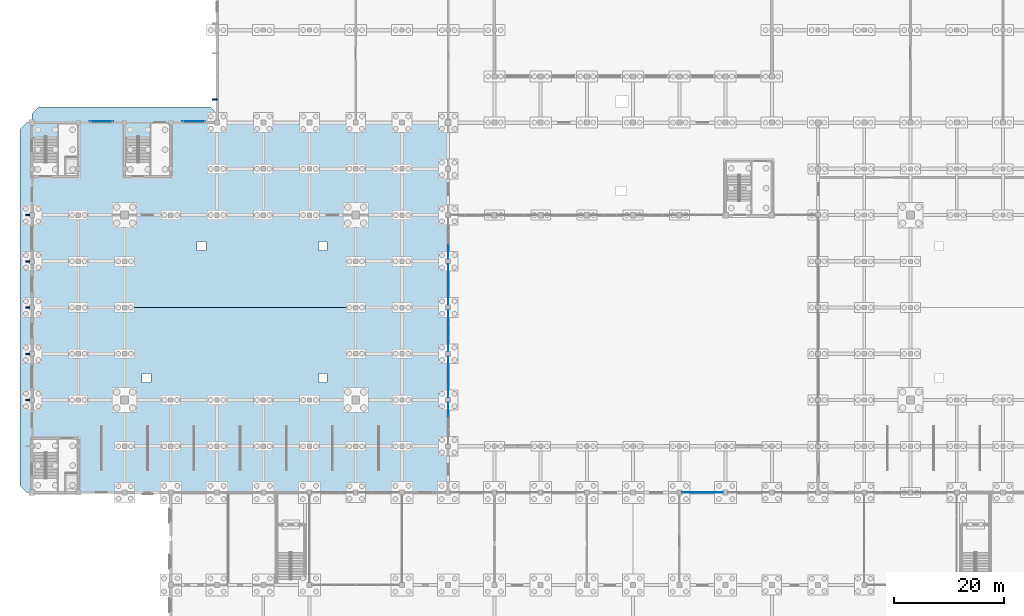
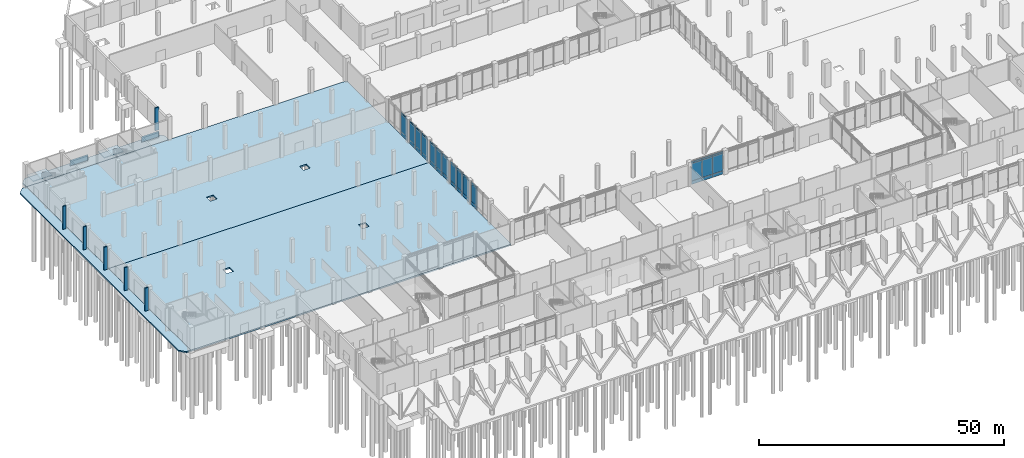
# One storey, part 43 of 72: 50 plates, 6 slabs, 8 elements without a shape of their own.
"""IFC4 building model written with IfcOpenShell, lengths in metres."""

from ifc_helpers import new_model, si_unit, direction, frame, frame_2d, origin, place, context, subcontext, project, spatial, polyline, rectangle, outline, extrude, material, layer, layer_set, type_object, element, aggregate, save


model = new_model("IFC4")

# Units and contexts
model_context = context("Model", 3, precision=1e-05, world=origin(), true_north=direction((0.0, 1.0)))
body_context = subcontext(model_context, "Body", "Model", "MODEL_VIEW")
ifc_project = project(units=[si_unit("LENGTHUNIT", "METRE"), si_unit("AREAUNIT", "SQUARE_METRE"), si_unit("VOLUMEUNIT", "CUBIC_METRE"), si_unit("PLANEANGLEUNIT", "RADIAN"), si_unit("MASSUNIT", "GRAM", prefix="KILO")], contexts=[model_context])

# Site, building, storey
site_placement = place(None, origin())
site = spatial("IfcSite", under=ifc_project, at=site_placement, CompositionType="ELEMENT")
building_placement = place(site_placement, origin())
building = spatial("IfcBuilding", under=site, at=building_placement, Name="Qawsi Khor Wholesale Market", CompositionType="ELEMENT")
storey_placement = place(building_placement, origin())
storey = spatial("IfcBuildingStorey", under=building, at=storey_placement, Name="L00", CompositionType="ELEMENT", Elevation=0.0)

# Slabs
ifc_material_1 = material(Name="Concrete C45/55", Category="concrete")
ifc_layer_1 = layer(ifc_material_1, 0.31005859375, Name="Concrete C45/55")
ifc_layer_set_1 = layer_set([ifc_layer_1], Name="Concrete C45/55")
slab_type_1 = type_object("IfcSlabType", Name="Arcade & Forecourt Structural Deck 310 C45/55", PredefinedType="BASESLAB", material=ifc_layer_set_1)
slab_1_placement = place(storey_placement, frame((0.0, 0.0, -0.31005859375)))
element("IfcSlab", 1, at=slab_1_placement, inside=storey, type_object=slab_type_1, Name="SLB-L00-W-APRON", PredefinedType="BASESLAB", context=body_context, shape_type="SweptSolid", body=[
    extrude(outline(polyline([(-1.0, 42.0), (0.0, 42.0), (0.0, 109.199951171875), (-1.0, 109.199951171875), (-2.199951171875, 108.0), (-2.199951171875, 43.199951171875), (-1.0, 42.0)])), origin(), (0.0, 0.0, 1.0), 0.31005859375),
])
slab_2_placement = place(storey_placement, frame((0.0, 0.0, -0.31005859375)))
element("IfcSlab", 2, at=slab_2_placement, inside=storey, type_object=slab_type_1, Name="SLB-L00-N-EXIT-APRON", PredefinedType="BASESLAB", context=body_context, shape_type="SweptSolid", body=[
    extrude(outline(polyline([(0.0, 109.199951171875), (33.60009765625, 109.199951171875), (33.60009765625, 110.800048828125), (32.39990234375, 112.0), (1.199951171875, 112.0), (0.0, 110.800048828125), (0.0, 109.199951171875)])), origin(), (0.0, 0.0, 1.0), 0.31005859375),
])
ifc_layer_2 = layer(ifc_material_1, 0.360107421875, Name="Concrete C45/55")
ifc_layer_set_2 = layer_set([ifc_layer_2], Name="Concrete C45/55")
slab_type_2 = type_object("IfcSlabType", Name="Ground-Bearing Slab 360 C45/55", PredefinedType="BASESLAB", material=ifc_layer_set_2)
slab_3_placement = place(storey_placement, frame((0.0, 0.0, -0.360107421875)))
element("IfcSlab", 3, at=slab_3_placement, inside=storey, type_object=slab_type_2, Name="SLB-L00-WHALL-S", PredefinedType="BASESLAB", context=body_context, shape_type="SweptSolid", body=[
    extrude(outline(polyline([(0.0, 75.60009765625), (75.60009765625, 75.60009765625), (75.60009765625, 42.0), (0.0, 42.0), (0.0, 75.60009765625)]), holes=[polyline([(20.0, 62.0), (21.60009765625, 62.0), (21.60009765625, 63.60009765625), (20.0, 63.60009765625), (20.0, 62.0)]), polyline([(52.0, 62.0), (53.60009765625, 62.0), (53.60009765625, 63.60009765625), (52.0, 63.60009765625), (52.0, 62.0)])]), origin(), (0.0, 0.0, 1.0), 0.360107421875),
])
slab_4_placement = place(storey_placement, frame((0.0, 0.0, -0.360107421875)))
element("IfcSlab", 4, at=slab_4_placement, inside=storey, type_object=slab_type_2, Name="SLB-L00-WHALL-N", PredefinedType="BASESLAB", context=body_context, shape_type="SweptSolid", body=[
    extrude(outline(polyline([(0.0, 109.199951171875), (75.60009765625, 109.199951171875), (75.60009765625, 75.60009765625), (0.0, 75.60009765625), (0.0, 109.199951171875)]), holes=[polyline([(30.0, 86.0), (31.60009765625, 86.0), (31.60009765625, 87.60009765625), (30.0, 87.60009765625), (30.0, 86.0)]), polyline([(52.0, 86.0), (53.60009765625, 86.0), (53.60009765625, 87.60009765625), (52.0, 87.60009765625), (52.0, 86.0)])]), origin(), (0.0, 0.0, 1.0), 0.360107421875),
])

# Curtain wall, plate
ifc_material_2 = material(Name="Aluminium Anodised Bronze", Category="aluminium")
ifc_layer_3 = layer(ifc_material_2, 0.199951171875, Name="Aluminium Anodised Bronze")
ifc_layer_set_3 = layer_set([ifc_layer_3], Name="Aluminium Anodised Bronze")
curtain_wall_type_1 = type_object("IfcCurtainWallType", Name="Trading Hall North-Light Curtain Wall CW-03", PredefinedType="NOTDEFINED", material=ifc_layer_set_3)
curtain_wall_1_placement = place(storey_placement, origin())
curtain_wall_1 = element("IfcCurtainWall", 5, at=curtain_wall_1_placement, inside=storey, type_object=curtain_wall_type_1, Name="Curtain wall CW-CW-03-L00-072", PredefinedType="NOTDEFINED")
ifc_material_3 = material(Name="Anodised Aluminium Spandrel", Category="aluminium")
ifc_layer_4 = layer(ifc_material_3, 0.074951171875, Name="Anodised Aluminium Spandrel")
ifc_layer_set_4 = layer_set([ifc_layer_4], Name="Anodised Aluminium Spandrel")
plate_type_1 = type_object("IfcPlateType", Name="Insulated Spandrel Panel CW-03 75mm", PredefinedType="CURTAIN_PANEL", material=ifc_layer_set_4)
plate_1_placement = place(storey_placement, frame((75.60009765625, 55.834228515625, 0.0048828125), z_axis=(0.0, 0.0, 1.0), x_axis=(0.0, 1.0, 0.0)))
plate_1 = element("IfcPlate", 6, at=plate_1_placement, type_object=plate_type_1, Name="Curtain panel CW-CW-03-L00-072-P0_02", PredefinedType="CURTAIN_PANEL", context=body_context, shape_type="SweptSolid", body=[
    extrude(rectangle(XDim=2.46826171875, YDim=0.074951171875, at=frame_2d((1.234130859375, 0.0))), origin(), (0.0, 0.0, 1.0), 0.840087890625),
])

# Curtain wall, plates
curtain_wall_2_placement = place(storey_placement, origin())
curtain_wall_2 = element("IfcCurtainWall", 7, at=curtain_wall_2_placement, inside=storey, type_object=curtain_wall_type_1, Name="Curtain wall CW-CW-03-L00-077", PredefinedType="NOTDEFINED")
plate_2_placement = place(storey_placement, frame((75.60009765625, 59.297607421875, 0.0048828125), z_axis=(0.0, 0.0, 1.0), x_axis=(0.0, 1.0, 0.0)))
plate_2 = element("IfcPlate", 8, at=plate_2_placement, type_object=plate_type_1, Name="Curtain panel CW-CW-03-L00-077-P0_00", PredefinedType="CURTAIN_PANEL", context=body_context, shape_type="SweptSolid", body=[
    extrude(rectangle(XDim=2.46826171875, YDim=0.074951171875, at=frame_2d((1.234130859375, 0.0))), origin(), (0.0, 0.0, 1.0), 0.840087890625),
])
plate_3_placement = place(storey_placement, frame((75.60009765625, 61.765869140625, 0.0048828125), z_axis=(0.0, 0.0, 1.0), x_axis=(0.0, 1.0, 0.0)))
plate_3 = element("IfcPlate", 9, at=plate_3_placement, type_object=plate_type_1, Name="Curtain panel CW-CW-03-L00-077-P0_01", PredefinedType="CURTAIN_PANEL", context=body_context, shape_type="SweptSolid", body=[
    extrude(rectangle(XDim=2.46826171875, YDim=0.074951171875, at=frame_2d((1.234130859375, 0.0))), origin(), (0.0, 0.0, 1.0), 0.840087890625),
])
plate_4_placement = place(storey_placement, frame((75.60009765625, 64.234130859375, 0.0048828125), z_axis=(0.0, 0.0, 1.0), x_axis=(0.0, 1.0, 0.0)))
plate_4 = element("IfcPlate", 10, at=plate_4_placement, type_object=plate_type_1, Name="Curtain panel CW-CW-03-L00-077-P0_02", PredefinedType="CURTAIN_PANEL", context=body_context, shape_type="SweptSolid", body=[
    extrude(rectangle(XDim=2.46826171875, YDim=0.074951171875, at=frame_2d((1.234130859375, 0.0))), origin(), (0.0, 0.0, 1.0), 0.840087890625),
])

curtain_wall_3_placement = place(storey_placement, origin())
curtain_wall_3 = element("IfcCurtainWall", 11, at=curtain_wall_3_placement, inside=storey, type_object=curtain_wall_type_1, Name="Curtain wall CW-CW-03-L00-082", PredefinedType="NOTDEFINED")
plate_5_placement = place(storey_placement, frame((75.60009765625, 67.697509765625, 0.0048828125), z_axis=(0.0, 0.0, 1.0), x_axis=(0.0, 1.0, 0.0)))
plate_5 = element("IfcPlate", 12, at=plate_5_placement, type_object=plate_type_1, Name="Curtain panel CW-CW-03-L00-082-P0_00", PredefinedType="CURTAIN_PANEL", context=body_context, shape_type="SweptSolid", body=[
    extrude(rectangle(XDim=2.46826171875, YDim=0.074951171875, at=frame_2d((1.234130859375, 0.0))), origin(), (0.0, 0.0, 1.0), 0.840087890625),
])
plate_6_placement = place(storey_placement, frame((75.60009765625, 70.165771484375, 0.0048828125), z_axis=(0.0, 0.0, 1.0), x_axis=(0.0, 1.0, 0.0)))
plate_6 = element("IfcPlate", 13, at=plate_6_placement, type_object=plate_type_1, Name="Curtain panel CW-CW-03-L00-082-P0_01", PredefinedType="CURTAIN_PANEL", context=body_context, shape_type="SweptSolid", body=[
    extrude(rectangle(XDim=2.468505859375, YDim=0.074951171875, at=frame_2d((1.234375, 0.0))), origin(), (0.0, 0.0, 1.0), 0.840087890625),
])
plate_7_placement = place(storey_placement, frame((75.60009765625, 72.63427734375, 0.0048828125), z_axis=(0.0, 0.0, 1.0), x_axis=(0.0, 1.0, 0.0)))
plate_7 = element("IfcPlate", 14, at=plate_7_placement, type_object=plate_type_1, Name="Curtain panel CW-CW-03-L00-082-P0_02", PredefinedType="CURTAIN_PANEL", context=body_context, shape_type="SweptSolid", body=[
    extrude(rectangle(XDim=2.46826171875, YDim=0.074951171875, at=frame_2d((1.234130859375, 0.0))), origin(), (0.0, 0.0, 1.0), 0.840087890625),
])

curtain_wall_4_placement = place(storey_placement, origin())
curtain_wall_4 = element("IfcCurtainWall", 15, at=curtain_wall_4_placement, inside=storey, type_object=curtain_wall_type_1, Name="Curtain wall CW-CW-03-L00-087", PredefinedType="NOTDEFINED")
plate_8_placement = place(storey_placement, frame((75.60009765625, 76.097412109375, 0.0048828125), z_axis=(0.0, 0.0, 1.0), x_axis=(0.0, 1.0, 0.0)))
plate_8 = element("IfcPlate", 16, at=plate_8_placement, type_object=plate_type_1, Name="Curtain panel CW-CW-03-L00-087-P0_00", PredefinedType="CURTAIN_PANEL", context=body_context, shape_type="SweptSolid", body=[
    extrude(rectangle(XDim=2.468505859375, YDim=0.074951171875, at=frame_2d((1.234375, 0.0))), origin(), (0.0, 0.0, 1.0), 0.840087890625),
])
plate_9_placement = place(storey_placement, frame((75.60009765625, 78.56591796875, 0.0048828125), z_axis=(0.0, 0.0, 1.0), x_axis=(0.0, 1.0, 0.0)))
plate_9 = element("IfcPlate", 17, at=plate_9_placement, type_object=plate_type_1, Name="Curtain panel CW-CW-03-L00-087-P0_01", PredefinedType="CURTAIN_PANEL", context=body_context, shape_type="SweptSolid", body=[
    extrude(rectangle(XDim=2.46826171875, YDim=0.074951171875, at=frame_2d((1.234130859375, 0.0))), origin(), (0.0, 0.0, 1.0), 0.840087890625),
])
plate_10_placement = place(storey_placement, frame((75.60009765625, 81.0341796875, 0.0048828125), z_axis=(0.0, 0.0, 1.0), x_axis=(0.0, 1.0, 0.0)))
plate_10 = element("IfcPlate", 18, at=plate_10_placement, type_object=plate_type_1, Name="Curtain panel CW-CW-03-L00-087-P0_02", PredefinedType="CURTAIN_PANEL", context=body_context, shape_type="SweptSolid", body=[
    extrude(rectangle(XDim=2.46826171875, YDim=0.074951171875, at=frame_2d((1.234130859375, 0.0))), origin(), (0.0, 0.0, 1.0), 0.840087890625),
])

# Curtain wall, plate
curtain_wall_5_placement = place(storey_placement, origin())
curtain_wall_5 = element("IfcCurtainWall", 19, at=curtain_wall_5_placement, inside=storey, type_object=curtain_wall_type_1, Name="Curtain wall CW-CW-03-L00-092", PredefinedType="NOTDEFINED")
plate_11_placement = place(storey_placement, frame((75.60009765625, 84.49755859375, 0.0048828125), z_axis=(0.0, 0.0, 1.0), x_axis=(0.0, 1.0, 0.0)))
plate_11 = element("IfcPlate", 20, at=plate_11_placement, type_object=plate_type_1, Name="Curtain panel CW-CW-03-L00-092-P0_00", PredefinedType="CURTAIN_PANEL", context=body_context, shape_type="SweptSolid", body=[
    extrude(rectangle(XDim=2.46826171875, YDim=0.074951171875, at=frame_2d((1.234130859375, 0.0))), origin(), (0.0, 0.0, 1.0), 0.840087890625),
])

# Curtain wall, plates
ifc_layer_5 = layer(ifc_material_2, 0.169921875, Name="Aluminium Anodised Bronze")
ifc_layer_set_5 = layer_set([ifc_layer_5], Name="Aluminium Anodised Bronze")
curtain_wall_type_2 = type_object("IfcCurtainWallType", Name="Central Court Gallery Curtain Wall CW-05", PredefinedType="NOTDEFINED", material=ifc_layer_set_5)
curtain_wall_6_placement = place(storey_placement, origin())
curtain_wall_6 = element("IfcCurtainWall", 21, at=curtain_wall_6_placement, inside=storey, type_object=curtain_wall_type_2, Name="Curtain wall CW-CW-05-L00-057", PredefinedType="NOTDEFINED")
ifc_layer_6 = layer(ifc_material_3, 0.094970703125, Name="Anodised Aluminium Spandrel")
ifc_layer_set_6 = layer_set([ifc_layer_6], Name="Anodised Aluminium Spandrel")
plate_type_2 = type_object("IfcPlateType", Name="Insulated Spandrel Panel CW-05 95mm", PredefinedType="CURTAIN_PANEL", material=ifc_layer_set_6)
plate_12_placement = place(storey_placement, frame((118.10009765625, 42.0, 0.0048828125), z_axis=(0.0, 0.0, 1.0), x_axis=(1.0, 0.0, 0.0)))
plate_12 = element("IfcPlate", 22, at=plate_12_placement, type_object=plate_type_2, Name="Curtain panel CW-CW-05-L00-057-P0_00", PredefinedType="CURTAIN_PANEL", context=body_context, shape_type="SweptSolid", body=[
    extrude(rectangle(XDim=2.466552734375, YDim=0.094970703125, at=frame_2d((1.2333984375, 0.0))), origin(), (0.0, 0.0, 1.0), 0.840087890625),
])
plate_13_placement = place(storey_placement, frame((120.566650390625, 42.0, 0.0048828125), z_axis=(0.0, 0.0, 1.0), x_axis=(1.0, 0.0, 0.0)))
plate_13 = element("IfcPlate", 23, at=plate_13_placement, type_object=plate_type_2, Name="Curtain panel CW-CW-05-L00-057-P0_01", PredefinedType="CURTAIN_PANEL", context=body_context, shape_type="SweptSolid", body=[
    extrude(rectangle(XDim=2.466552734375, YDim=0.094970703125, at=frame_2d((1.2333984375, 0.0))), origin(), (0.0, 0.0, 1.0), 0.840087890625),
])
plate_14_placement = place(storey_placement, frame((123.033203125, 42.0, 0.0048828125), z_axis=(0.0, 0.0, 1.0), x_axis=(1.0, 0.0, 0.0)))
plate_14 = element("IfcPlate", 24, at=plate_14_placement, type_object=plate_type_2, Name="Curtain panel CW-CW-05-L00-057-P0_02", PredefinedType="CURTAIN_PANEL", context=body_context, shape_type="SweptSolid", body=[
    extrude(rectangle(XDim=2.466796875, YDim=0.094970703125, at=frame_2d((1.2333984375, 0.0))), origin(), (0.0, 0.0, 1.0), 0.840087890625),
])

# Plates
ifc_material_4 = material(Name="Perforated Bronze-Anodised Aluminium", Category="aluminium")
ifc_layer_7 = layer(ifc_material_4, 0.014892578125, Name="Perforated Bronze-Anodised Aluminium")
ifc_layer_set_7 = layer_set([ifc_layer_7], Name="Perforated Bronze-Anodised Aluminium")
plate_type_3 = type_object("IfcPlateType", Name="Perforated Bronze Mashrabiya Screen 15mm", PredefinedType="SHEET", material=ifc_layer_set_7)
for number, where, z_axis, x_axis, name in (
    (25, (10.5, 109.47509765625, 1.35009765625), (0.0, 0.0, 1.0), (1.0, 0.0, 0.0), "Solar mashrabiya screen 069"),
    (26, (27.300048828125, 109.47509765625, 1.35009765625), (0.0, 0.0, 1.0), (1.0, 0.0, 0.0), "Solar mashrabiya screen 070"),
):
    element("IfcPlate", number, at=place(storey_placement, frame(where, z_axis=z_axis, x_axis=x_axis)), inside=storey, type_object=plate_type_3, Name=name, PredefinedType="SHEET", context=body_context, shape_type="SweptSolid", body=[
        extrude(rectangle(XDim=4.199951171875, YDim=0.014892578125, at=frame_2d((2.10009765625, 0.0))), origin(), (0.0, 0.0, 1.0), 1.449951171875),
    ])
ifc_material_5 = material(Name="Concrete C40/50", Category="concrete")
ifc_layer_8 = layer(ifc_material_5, 0.260009765625, Name="Concrete C40/50")
ifc_layer_set_8 = layer_set([ifc_layer_8], Name="Concrete C40/50")
plate_type_4 = type_object("IfcPlateType", Name="Sculpted Concrete Solar Buttress Fin 260", PredefinedType="SHEET", material=ifc_layer_set_8)
for number, where, z_axis, x_axis, name in (
    (27, (-1.14990234375, 58.800048828125, 0.0), (0.0, 0.0, 1.0), (1.0, 0.0, 0.0), "West Hall Concrete Buttress Rib L00-7"),
    (28, (-1.14990234375, 67.199951171875, 0.0), (0.0, 0.0, 1.0), (1.0, 0.0, 0.0), "West Hall Concrete Buttress Rib L00-8"),
    (29, (-1.14990234375, 75.60009765625, 0.0), (0.0, 0.0, 1.0), (1.0, 0.0, 0.0), "West Hall Concrete Buttress Rib L00-9"),
    (30, (-1.14990234375, 84.0, 0.0), (0.0, 0.0, 1.0), (1.0, 0.0, 0.0), "West Hall Concrete Buttress Rib L00-10"),
    (31, (-1.14990234375, 92.39990234375, 0.0), (0.0, 0.0, 1.0), (1.0, 0.0, 0.0), "West Hall Concrete Buttress Rib L00-11"),
):
    element("IfcPlate", number, at=place(storey_placement, frame(where, z_axis=z_axis, x_axis=x_axis)), inside=storey, type_object=plate_type_4, Name=name, PredefinedType="SHEET", context=body_context, shape_type="SweptSolid", body=[
        extrude(rectangle(XDim=0.760009765625, YDim=0.260009765625, at=frame_2d((0.3798828125, 0.0))), origin(), (0.0, 0.0, 1.0), 5.72998046875),
    ])
plate_15_placement = place(storey_placement, frame((33.60009765625, 113.39990234375, 0.0), z_axis=(0.0, 0.0, 1.0), x_axis=(-1.0, 0.0, 0.0)))
element("IfcPlate", 32, at=plate_15_placement, inside=storey, type_object=plate_type_4, Name="NWC Cold-Store Sculpted Concrete Fin 13", PredefinedType="SHEET", context=body_context, shape_type="SweptSolid", body=[
    extrude(rectangle(XDim=0.85009765625, YDim=0.260009765625, at=frame_2d((0.425048828125, 0.0))), origin(), (0.0, 0.0, 1.0), 5.699951171875),
])

# Plate
ifc_material_6 = material(Name="Tempered Low-E Solar Glass", Category="glass")
ifc_layer_9 = layer(ifc_material_6, 0.0419921875, Name="Tempered Low-E Solar Glass")
ifc_layer_set_9 = layer_set([ifc_layer_9], Name="Tempered Low-E Solar Glass")
plate_type_5 = type_object("IfcPlateType", Name="Solar Double-Glazed Unit CW-03 42mm", PredefinedType="CURTAIN_PANEL", material=ifc_layer_set_9)
plate_16_placement = place(storey_placement, frame((75.60009765625, 55.834228515625, 0.85498046875), z_axis=(0.0, 0.0, 1.0), x_axis=(0.0, 1.0, 0.0)))
plate_16 = element("IfcPlate", 33, at=plate_16_placement, type_object=plate_type_5, Name="Curtain panel CW-CW-03-L00-072-P1_02", PredefinedType="CURTAIN_PANEL", context=body_context, shape_type="SweptSolid", body=[
    extrude(rectangle(XDim=2.46826171875, YDim=0.0419921875, at=frame_2d((1.234130859375, 0.0))), origin(), (0.0, 0.0, 1.0), 4.419921875),
])

plate_17_placement = place(storey_placement, frame((75.60009765625, 55.834228515625, 5.284912109375), z_axis=(0.0, 0.0, 1.0), x_axis=(0.0, 1.0, 0.0)))
plate_17 = element("IfcPlate", 34, at=plate_17_placement, type_object=plate_type_5, Name="Curtain panel CW-CW-03-L00-072-P2_02", PredefinedType="CURTAIN_PANEL", context=body_context, shape_type="SweptSolid", body=[
    extrude(rectangle(XDim=2.46826171875, YDim=0.0419921875, at=frame_2d((1.234130859375, 0.0))), origin(), (0.0, 0.0, 1.0), 0.440185546875),
])

aggregate(curtain_wall_1, [plate_1, plate_16, plate_17])

plate_18_placement = place(storey_placement, frame((75.60009765625, 59.297607421875, 0.85498046875), z_axis=(0.0, 0.0, 1.0), x_axis=(0.0, 1.0, 0.0)))
plate_18 = element("IfcPlate", 35, at=plate_18_placement, type_object=plate_type_5, Name="Curtain panel CW-CW-03-L00-077-P1_00", PredefinedType="CURTAIN_PANEL", context=body_context, shape_type="SweptSolid", body=[
    extrude(rectangle(XDim=2.46826171875, YDim=0.0419921875, at=frame_2d((1.234130859375, 0.0))), origin(), (0.0, 0.0, 1.0), 4.419921875),
])

plate_19_placement = place(storey_placement, frame((75.60009765625, 61.765869140625, 0.85498046875), z_axis=(0.0, 0.0, 1.0), x_axis=(0.0, 1.0, 0.0)))
plate_19 = element("IfcPlate", 36, at=plate_19_placement, type_object=plate_type_5, Name="Curtain panel CW-CW-03-L00-077-P1_01", PredefinedType="CURTAIN_PANEL", context=body_context, shape_type="SweptSolid", body=[
    extrude(rectangle(XDim=2.46826171875, YDim=0.0419921875, at=frame_2d((1.234130859375, 0.0))), origin(), (0.0, 0.0, 1.0), 4.419921875),
])

plate_20_placement = place(storey_placement, frame((75.60009765625, 64.234130859375, 0.85498046875), z_axis=(0.0, 0.0, 1.0), x_axis=(0.0, 1.0, 0.0)))
plate_20 = element("IfcPlate", 37, at=plate_20_placement, type_object=plate_type_5, Name="Curtain panel CW-CW-03-L00-077-P1_02", PredefinedType="CURTAIN_PANEL", context=body_context, shape_type="SweptSolid", body=[
    extrude(rectangle(XDim=2.46826171875, YDim=0.0419921875, at=frame_2d((1.234130859375, 0.0))), origin(), (0.0, 0.0, 1.0), 4.419921875),
])

plate_21_placement = place(storey_placement, frame((75.60009765625, 59.297607421875, 5.284912109375), z_axis=(0.0, 0.0, 1.0), x_axis=(0.0, 1.0, 0.0)))
plate_21 = element("IfcPlate", 38, at=plate_21_placement, type_object=plate_type_5, Name="Curtain panel CW-CW-03-L00-077-P2_00", PredefinedType="CURTAIN_PANEL", context=body_context, shape_type="SweptSolid", body=[
    extrude(rectangle(XDim=2.46826171875, YDim=0.0419921875, at=frame_2d((1.234130859375, 0.0))), origin(), (0.0, 0.0, 1.0), 0.440185546875),
])

plate_22_placement = place(storey_placement, frame((75.60009765625, 61.765869140625, 5.284912109375), z_axis=(0.0, 0.0, 1.0), x_axis=(0.0, 1.0, 0.0)))
plate_22 = element("IfcPlate", 39, at=plate_22_placement, type_object=plate_type_5, Name="Curtain panel CW-CW-03-L00-077-P2_01", PredefinedType="CURTAIN_PANEL", context=body_context, shape_type="SweptSolid", body=[
    extrude(rectangle(XDim=2.46826171875, YDim=0.0419921875, at=frame_2d((1.234130859375, 0.0))), origin(), (0.0, 0.0, 1.0), 0.440185546875),
])

plate_23_placement = place(storey_placement, frame((75.60009765625, 64.234130859375, 5.284912109375), z_axis=(0.0, 0.0, 1.0), x_axis=(0.0, 1.0, 0.0)))
plate_23 = element("IfcPlate", 40, at=plate_23_placement, type_object=plate_type_5, Name="Curtain panel CW-CW-03-L00-077-P2_02", PredefinedType="CURTAIN_PANEL", context=body_context, shape_type="SweptSolid", body=[
    extrude(rectangle(XDim=2.46826171875, YDim=0.0419921875, at=frame_2d((1.234130859375, 0.0))), origin(), (0.0, 0.0, 1.0), 0.440185546875),
])

aggregate(curtain_wall_2, [plate_2, plate_3, plate_4, plate_18, plate_19, plate_20, plate_21, plate_22, plate_23])

plate_24_placement = place(storey_placement, frame((75.60009765625, 67.697509765625, 0.85498046875), z_axis=(0.0, 0.0, 1.0), x_axis=(0.0, 1.0, 0.0)))
plate_24 = element("IfcPlate", 41, at=plate_24_placement, type_object=plate_type_5, Name="Curtain panel CW-CW-03-L00-082-P1_00", PredefinedType="CURTAIN_PANEL", context=body_context, shape_type="SweptSolid", body=[
    extrude(rectangle(XDim=2.46826171875, YDim=0.0419921875, at=frame_2d((1.234130859375, 0.0))), origin(), (0.0, 0.0, 1.0), 4.419921875),
])

plate_25_placement = place(storey_placement, frame((75.60009765625, 70.165771484375, 0.85498046875), z_axis=(0.0, 0.0, 1.0), x_axis=(0.0, 1.0, 0.0)))
plate_25 = element("IfcPlate", 42, at=plate_25_placement, type_object=plate_type_5, Name="Curtain panel CW-CW-03-L00-082-P1_01", PredefinedType="CURTAIN_PANEL", context=body_context, shape_type="SweptSolid", body=[
    extrude(rectangle(XDim=2.468505859375, YDim=0.0419921875, at=frame_2d((1.234375, 0.0))), origin(), (0.0, 0.0, 1.0), 4.419921875),
])

plate_26_placement = place(storey_placement, frame((75.60009765625, 72.63427734375, 0.85498046875), z_axis=(0.0, 0.0, 1.0), x_axis=(0.0, 1.0, 0.0)))
plate_26 = element("IfcPlate", 43, at=plate_26_placement, type_object=plate_type_5, Name="Curtain panel CW-CW-03-L00-082-P1_02", PredefinedType="CURTAIN_PANEL", context=body_context, shape_type="SweptSolid", body=[
    extrude(rectangle(XDim=2.46826171875, YDim=0.0419921875, at=frame_2d((1.234130859375, 0.0))), origin(), (0.0, 0.0, 1.0), 4.419921875),
])

plate_27_placement = place(storey_placement, frame((75.60009765625, 67.697509765625, 5.284912109375), z_axis=(0.0, 0.0, 1.0), x_axis=(0.0, 1.0, 0.0)))
plate_27 = element("IfcPlate", 44, at=plate_27_placement, type_object=plate_type_5, Name="Curtain panel CW-CW-03-L00-082-P2_00", PredefinedType="CURTAIN_PANEL", context=body_context, shape_type="SweptSolid", body=[
    extrude(rectangle(XDim=2.46826171875, YDim=0.0419921875, at=frame_2d((1.234130859375, 0.0))), origin(), (0.0, 0.0, 1.0), 0.440185546875),
])

plate_28_placement = place(storey_placement, frame((75.60009765625, 70.165771484375, 5.284912109375), z_axis=(0.0, 0.0, 1.0), x_axis=(0.0, 1.0, 0.0)))
plate_28 = element("IfcPlate", 45, at=plate_28_placement, type_object=plate_type_5, Name="Curtain panel CW-CW-03-L00-082-P2_01", PredefinedType="CURTAIN_PANEL", context=body_context, shape_type="SweptSolid", body=[
    extrude(rectangle(XDim=2.468505859375, YDim=0.0419921875, at=frame_2d((1.234375, 0.0))), origin(), (0.0, 0.0, 1.0), 0.440185546875),
])

plate_29_placement = place(storey_placement, frame((75.60009765625, 72.63427734375, 5.284912109375), z_axis=(0.0, 0.0, 1.0), x_axis=(0.0, 1.0, 0.0)))
plate_29 = element("IfcPlate", 46, at=plate_29_placement, type_object=plate_type_5, Name="Curtain panel CW-CW-03-L00-082-P2_02", PredefinedType="CURTAIN_PANEL", context=body_context, shape_type="SweptSolid", body=[
    extrude(rectangle(XDim=2.46826171875, YDim=0.0419921875, at=frame_2d((1.234130859375, 0.0))), origin(), (0.0, 0.0, 1.0), 0.440185546875),
])

aggregate(curtain_wall_3, [plate_5, plate_6, plate_7, plate_24, plate_25, plate_26, plate_27, plate_28, plate_29])

plate_30_placement = place(storey_placement, frame((75.60009765625, 76.097412109375, 0.85498046875), z_axis=(0.0, 0.0, 1.0), x_axis=(0.0, 1.0, 0.0)))
plate_30 = element("IfcPlate", 47, at=plate_30_placement, type_object=plate_type_5, Name="Curtain panel CW-CW-03-L00-087-P1_00", PredefinedType="CURTAIN_PANEL", context=body_context, shape_type="SweptSolid", body=[
    extrude(rectangle(XDim=2.468505859375, YDim=0.0419921875, at=frame_2d((1.234375, 0.0))), origin(), (0.0, 0.0, 1.0), 4.419921875),
])

plate_31_placement = place(storey_placement, frame((75.60009765625, 78.56591796875, 0.85498046875), z_axis=(0.0, 0.0, 1.0), x_axis=(0.0, 1.0, 0.0)))
plate_31 = element("IfcPlate", 48, at=plate_31_placement, type_object=plate_type_5, Name="Curtain panel CW-CW-03-L00-087-P1_01", PredefinedType="CURTAIN_PANEL", context=body_context, shape_type="SweptSolid", body=[
    extrude(rectangle(XDim=2.46826171875, YDim=0.0419921875, at=frame_2d((1.234130859375, 0.0))), origin(), (0.0, 0.0, 1.0), 4.419921875),
])

plate_32_placement = place(storey_placement, frame((75.60009765625, 81.0341796875, 0.85498046875), z_axis=(0.0, 0.0, 1.0), x_axis=(0.0, 1.0, 0.0)))
plate_32 = element("IfcPlate", 49, at=plate_32_placement, type_object=plate_type_5, Name="Curtain panel CW-CW-03-L00-087-P1_02", PredefinedType="CURTAIN_PANEL", context=body_context, shape_type="SweptSolid", body=[
    extrude(rectangle(XDim=2.46826171875, YDim=0.0419921875, at=frame_2d((1.234130859375, 0.0))), origin(), (0.0, 0.0, 1.0), 4.419921875),
])

plate_33_placement = place(storey_placement, frame((75.60009765625, 76.097412109375, 5.284912109375), z_axis=(0.0, 0.0, 1.0), x_axis=(0.0, 1.0, 0.0)))
plate_33 = element("IfcPlate", 50, at=plate_33_placement, type_object=plate_type_5, Name="Curtain panel CW-CW-03-L00-087-P2_00", PredefinedType="CURTAIN_PANEL", context=body_context, shape_type="SweptSolid", body=[
    extrude(rectangle(XDim=2.468505859375, YDim=0.0419921875, at=frame_2d((1.234375, 0.0))), origin(), (0.0, 0.0, 1.0), 0.440185546875),
])

plate_34_placement = place(storey_placement, frame((75.60009765625, 78.56591796875, 5.284912109375), z_axis=(0.0, 0.0, 1.0), x_axis=(0.0, 1.0, 0.0)))
plate_34 = element("IfcPlate", 51, at=plate_34_placement, type_object=plate_type_5, Name="Curtain panel CW-CW-03-L00-087-P2_01", PredefinedType="CURTAIN_PANEL", context=body_context, shape_type="SweptSolid", body=[
    extrude(rectangle(XDim=2.46826171875, YDim=0.0419921875, at=frame_2d((1.234130859375, 0.0))), origin(), (0.0, 0.0, 1.0), 0.440185546875),
])

plate_35_placement = place(storey_placement, frame((75.60009765625, 81.0341796875, 5.284912109375), z_axis=(0.0, 0.0, 1.0), x_axis=(0.0, 1.0, 0.0)))
plate_35 = element("IfcPlate", 52, at=plate_35_placement, type_object=plate_type_5, Name="Curtain panel CW-CW-03-L00-087-P2_02", PredefinedType="CURTAIN_PANEL", context=body_context, shape_type="SweptSolid", body=[
    extrude(rectangle(XDim=2.46826171875, YDim=0.0419921875, at=frame_2d((1.234130859375, 0.0))), origin(), (0.0, 0.0, 1.0), 0.440185546875),
])

aggregate(curtain_wall_4, [plate_8, plate_9, plate_10, plate_30, plate_31, plate_32, plate_33, plate_34, plate_35])

plate_36_placement = place(storey_placement, frame((75.60009765625, 84.49755859375, 0.85498046875), z_axis=(0.0, 0.0, 1.0), x_axis=(0.0, 1.0, 0.0)))
plate_36 = element("IfcPlate", 53, at=plate_36_placement, type_object=plate_type_5, Name="Curtain panel CW-CW-03-L00-092-P1_00", PredefinedType="CURTAIN_PANEL", context=body_context, shape_type="SweptSolid", body=[
    extrude(rectangle(XDim=2.46826171875, YDim=0.0419921875, at=frame_2d((1.234130859375, 0.0))), origin(), (0.0, 0.0, 1.0), 4.419921875),
])

plate_37_placement = place(storey_placement, frame((75.60009765625, 84.49755859375, 5.284912109375), z_axis=(0.0, 0.0, 1.0), x_axis=(0.0, 1.0, 0.0)))
plate_37 = element("IfcPlate", 54, at=plate_37_placement, type_object=plate_type_5, Name="Curtain panel CW-CW-03-L00-092-P2_00", PredefinedType="CURTAIN_PANEL", context=body_context, shape_type="SweptSolid", body=[
    extrude(rectangle(XDim=2.46826171875, YDim=0.0419921875, at=frame_2d((1.234130859375, 0.0))), origin(), (0.0, 0.0, 1.0), 0.440185546875),
])

aggregate(curtain_wall_5, [plate_11, plate_36, plate_37])

ifc_layer_10 = layer(ifc_material_6, 0.035888671875, Name="Tempered Low-E Solar Glass")
ifc_layer_set_10 = layer_set([ifc_layer_10], Name="Tempered Low-E Solar Glass")
plate_type_6 = type_object("IfcPlateType", Name="Solar Double-Glazed Unit CW-05 36mm", PredefinedType="CURTAIN_PANEL", material=ifc_layer_set_10)
plate_38_placement = place(storey_placement, frame((118.10009765625, 42.0, 0.85498046875), z_axis=(0.0, 0.0, 1.0), x_axis=(1.0, 0.0, 0.0)))
plate_38 = element("IfcPlate", 55, at=plate_38_placement, type_object=plate_type_6, Name="Curtain panel CW-CW-05-L00-057-P1_00", PredefinedType="CURTAIN_PANEL", context=body_context, shape_type="SweptSolid", body=[
    extrude(rectangle(XDim=2.466552734375, YDim=0.035888671875, at=frame_2d((1.2333984375, 0.0))), origin(), (0.0, 0.0, 1.0), 4.409912109375),
])

plate_39_placement = place(storey_placement, frame((120.566650390625, 42.0, 0.85498046875), z_axis=(0.0, 0.0, 1.0), x_axis=(1.0, 0.0, 0.0)))
plate_39 = element("IfcPlate", 56, at=plate_39_placement, type_object=plate_type_6, Name="Curtain panel CW-CW-05-L00-057-P1_01", PredefinedType="CURTAIN_PANEL", context=body_context, shape_type="SweptSolid", body=[
    extrude(rectangle(XDim=2.466552734375, YDim=0.035888671875, at=frame_2d((1.2333984375, 0.0))), origin(), (0.0, 0.0, 1.0), 4.409912109375),
])

plate_40_placement = place(storey_placement, frame((123.033203125, 42.0, 0.85498046875), z_axis=(0.0, 0.0, 1.0), x_axis=(1.0, 0.0, 0.0)))
plate_40 = element("IfcPlate", 57, at=plate_40_placement, type_object=plate_type_6, Name="Curtain panel CW-CW-05-L00-057-P1_02", PredefinedType="CURTAIN_PANEL", context=body_context, shape_type="SweptSolid", body=[
    extrude(rectangle(XDim=2.466796875, YDim=0.035888671875, at=frame_2d((1.2333984375, 0.0))), origin(), (0.0, 0.0, 1.0), 4.409912109375),
])

plate_41_placement = place(storey_placement, frame((118.10009765625, 42.0, 5.27490234375), z_axis=(0.0, 0.0, 1.0), x_axis=(1.0, 0.0, 0.0)))
plate_41 = element("IfcPlate", 58, at=plate_41_placement, type_object=plate_type_6, Name="Curtain panel CW-CW-05-L00-057-P2_00", PredefinedType="CURTAIN_PANEL", context=body_context, shape_type="SweptSolid", body=[
    extrude(rectangle(XDim=2.466552734375, YDim=0.035888671875, at=frame_2d((1.2333984375, 0.0))), origin(), (0.0, 0.0, 1.0), 0.440185546875),
])

plate_42_placement = place(storey_placement, frame((120.566650390625, 42.0, 5.27490234375), z_axis=(0.0, 0.0, 1.0), x_axis=(1.0, 0.0, 0.0)))
plate_42 = element("IfcPlate", 59, at=plate_42_placement, type_object=plate_type_6, Name="Curtain panel CW-CW-05-L00-057-P2_01", PredefinedType="CURTAIN_PANEL", context=body_context, shape_type="SweptSolid", body=[
    extrude(rectangle(XDim=2.466552734375, YDim=0.035888671875, at=frame_2d((1.2333984375, 0.0))), origin(), (0.0, 0.0, 1.0), 0.440185546875),
])

plate_43_placement = place(storey_placement, frame((123.033203125, 42.0, 5.27490234375), z_axis=(0.0, 0.0, 1.0), x_axis=(1.0, 0.0, 0.0)))
plate_43 = element("IfcPlate", 60, at=plate_43_placement, type_object=plate_type_6, Name="Curtain panel CW-CW-05-L00-057-P2_02", PredefinedType="CURTAIN_PANEL", context=body_context, shape_type="SweptSolid", body=[
    extrude(rectangle(XDim=2.466796875, YDim=0.035888671875, at=frame_2d((1.2333984375, 0.0))), origin(), (0.0, 0.0, 1.0), 0.440185546875),
])

aggregate(curtain_wall_6, [plate_12, plate_13, plate_14, plate_38, plate_39, plate_40, plate_41, plate_42, plate_43])

# Stair, slab
stair_type = type_object("IfcStairType", Name="Exit Stair L00-L01 6000 Rise", PredefinedType="HALF_TURN_STAIR", material=ifc_material_5)
stair_1_placement = place(storey_placement, origin())
stair_1 = element("IfcStair", 61, at=stair_1_placement, inside=storey, type_object=stair_type, Name="Stair ST-08 L00", PredefinedType="HALF_TURN_STAIR")
ifc_layer_11 = layer(ifc_material_5, 0.179931640625, Name="Concrete C40/50")
ifc_layer_set_11 = layer_set([ifc_layer_11], Name="Concrete C40/50")
slab_type_3 = type_object("IfcSlabType", Name="Stair Half-Landing Slab 180 C40/50", PredefinedType="LANDING", material=ifc_layer_set_11)
slab_5_placement = place(storey_placement, frame((0.0, 0.0, 2.820068359375)))
slab_5 = element("IfcSlab", 62, at=slab_5_placement, type_object=slab_type_3, Name="ST-08-L00 landing 1", PredefinedType="LANDING", context=body_context, shape_type="SweptSolid", body=[
    extrude(outline(polyline([(0.050048828125, 106.52001953125), (4.580078125, 106.52001953125), (4.580078125, 109.14990234375), (0.050048828125, 109.14990234375), (0.050048828125, 106.52001953125)])), origin(), (0.0, 0.0, 1.0), 0.179931640625),
])
aggregate(stair_1, [slab_5])

stair_2_placement = place(storey_placement, origin())
stair_2 = element("IfcStair", 63, at=stair_2_placement, inside=storey, type_object=stair_type, Name="Stair ST-09 L00", PredefinedType="HALF_TURN_STAIR")
slab_6_placement = place(storey_placement, frame((0.0, 0.0, 2.820068359375)))
slab_6 = element("IfcSlab", 64, at=slab_6_placement, type_object=slab_type_3, Name="ST-09-L00 landing 1", PredefinedType="LANDING", context=body_context, shape_type="SweptSolid", body=[
    extrude(outline(polyline([(16.85009765625, 106.52001953125), (21.3798828125, 106.52001953125), (21.3798828125, 109.14990234375), (16.85009765625, 109.14990234375), (16.85009765625, 106.52001953125)])), origin(), (0.0, 0.0, 1.0), 0.179931640625),
])
aggregate(stair_2, [slab_6])

save(model, "model.ifc")
